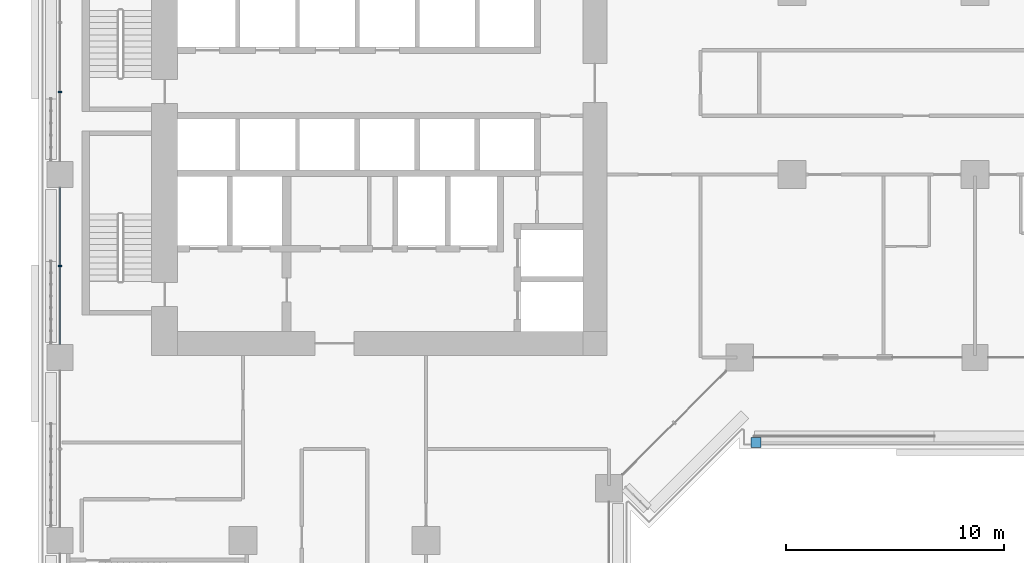
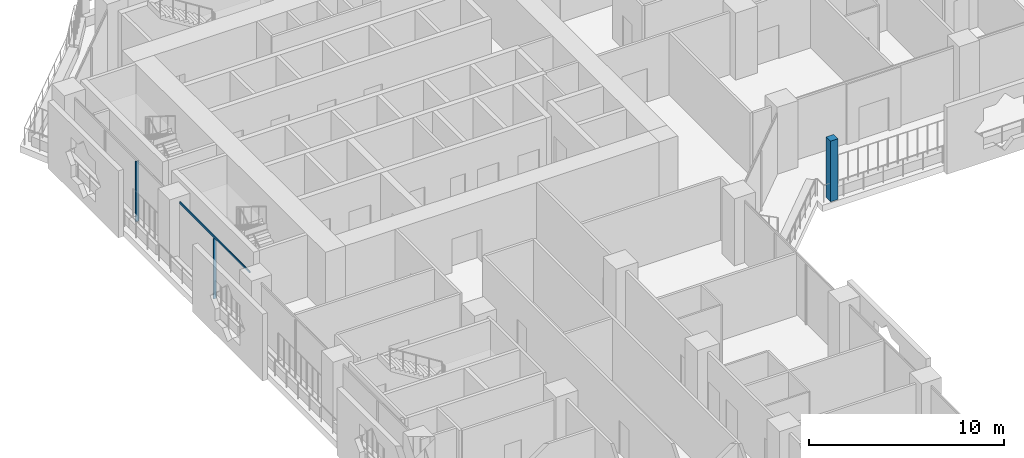
# One storey, part 5 of 28: 4 members, 2 elements without a shape of their own.
"""IFC4 building model written with IfcOpenShell, lengths in metres."""

from ifc_helpers import new_model, si_unit, direction, frame, origin, origin_2d, place, context, subcontext, project, spatial, rectangle, extrude, material, layer, layer_set, material_profile, profile_set, type_object, element, aggregate, save


model = new_model("IFC4")

# Units and contexts
model_context = context("Model", 3, precision=1e-05, world=origin(), true_north=direction((0.0, 1.0)))
body_context = subcontext(model_context, "Body", "Model", "MODEL_VIEW")
ifc_project = project(units=[si_unit("LENGTHUNIT", "METRE"), si_unit("AREAUNIT", "SQUARE_METRE"), si_unit("VOLUMEUNIT", "CUBIC_METRE"), si_unit("PLANEANGLEUNIT", "RADIAN"), si_unit("MASSUNIT", "GRAM", prefix="KILO")], contexts=[model_context])

# Site, building, storey
site_placement = place(None, origin())
site = spatial("IfcSite", under=ifc_project, at=site_placement, CompositionType="ELEMENT")
building_placement = place(site_placement, origin())
building = spatial("IfcBuilding", under=site, at=building_placement, Name="Kawkab Arch Medical Tower", CompositionType="ELEMENT")
storey_placement = place(building_placement, frame((0.0, 0.0, 72.800048828125)))
storey = spatial("IfcBuildingStorey", under=building, at=storey_placement, Name="L16", CompositionType="ELEMENT", Elevation=72.800048828125)

# Curtain wall, members
ifc_material_1 = material(Name="Bronze anodised aluminium curtain wall frame", Category="aluminium")
ifc_layer_1 = layer(ifc_material_1, 0.159912109375)
ifc_layer_set_1 = layer_set([ifc_layer_1], Name="Bronze anodised aluminium curtain wall frame")
curtain_wall_type_1 = type_object("IfcCurtainWallType", Name="CW1 ward curtain wall", PredefinedType="NOTDEFINED", material=ifc_layer_set_1)
placement = place(storey_placement, origin())
curtain_wall_1 = element("IfcCurtainWall", 1, at=placement, inside=storey, type_object=curtain_wall_type_1, Name="CW1 Ward curtain wall R01", PredefinedType="NOTDEFINED")
ifc_material_2 = material(Name="Bronze anodised aluminium curtain wall frame", Category="aluminium")
ifc_material_profile_1 = material_profile(ifc_material_2, rectangle(XDim=0.179931640625, YDim=0.06005859375, at=origin_2d()), Name="AL 60x180")
ifc_profile_set_1 = profile_set([ifc_material_profile_1], Name="Bronze anodised aluminium curtain wall frame")
member_type_1 = type_object("IfcMemberType", Name="CW1 mullion 60 x 180", PredefinedType="MULLION", material=ifc_profile_set_1)
member_1_placement = place(storey_placement, frame((0.0, -13.00830078125, 0.0), z_axis=(0.0, 0.0, 1.0), x_axis=(1.0, 0.0, 0.0)))
member_1 = element("IfcMember", 2, at=member_1_placement, type_object=member_type_1, Name="CW1 mullion 1.2", PredefinedType="MULLION", context=body_context, shape_type="SweptSolid", body=[
    extrude(rectangle(XDim=0.179931640625, YDim=0.06005859375, at=origin_2d()), origin(), (0.0, 0.0, 1.0), 3.780029296875),
])
member_2_placement = place(storey_placement, frame((0.0, -21.0, 0.0), z_axis=(0.0, 0.0, 1.0), x_axis=(1.0, 0.0, 0.0)))
member_2 = element("IfcMember", 3, at=member_2_placement, type_object=member_type_1, Name="CW1 mullion 2.1", PredefinedType="MULLION", context=body_context, shape_type="SweptSolid", body=[
    extrude(rectangle(XDim=0.179931640625, YDim=0.06005859375, at=origin_2d()), origin(), (0.0, 0.0, 1.0), 3.780029296875),
])
ifc_material_3 = material(Name="Bronze anodised aluminium curtain wall frame", Category="aluminium")
ifc_material_profile_2 = material_profile(ifc_material_3, rectangle(XDim=0.06005859375, YDim=0.1201171875, at=origin_2d()), Name="AL 60x120")
ifc_profile_set_2 = profile_set([ifc_material_profile_2], Name="Bronze anodised aluminium curtain wall frame")
member_type_2 = type_object("IfcMemberType", Name="CW1 transom 120 x 60", PredefinedType="USERDEFINED", material=ifc_profile_set_2)
member_3_placement = place(storey_placement, frame((0.0, -17.39990234375, 3.83984375), z_axis=(0.0, -1.0, 0.0), x_axis=(1.0, 0.0, 0.0)))
member_3 = element("IfcMember", 4, at=member_3_placement, type_object=member_type_2, Name="CW1 transom 2", ObjectType="TRANSOM", PredefinedType="USERDEFINED", context=body_context, shape_type="SweptSolid", body=[
    extrude(rectangle(XDim=0.06005859375, YDim=0.1201171875, at=origin_2d()), origin(), (0.0, 0.0, 1.0), 7.2001953125),
])
aggregate(curtain_wall_1, [member_1, member_3, member_2])

# Curtain wall, member
ifc_material_4 = material(Name="Bronze anodised aluminium climber frame, planted", Category="aluminium")
ifc_layer_2 = layer(ifc_material_4, 0.449951171875)
ifc_layer_set_2 = layer_set([ifc_layer_2], Name="Bronze anodised aluminium climber frame, planted")
curtain_wall_type_2 = type_object("IfcCurtainWallType", Name="Planted climber frame", PredefinedType="NOTDEFINED", material=ifc_layer_set_2)
curtain_wall_2 = element("IfcCurtainWall", 5, at=placement, inside=storey, type_object=curtain_wall_type_2, Name="Planted climber frame L16", PredefinedType="NOTDEFINED")
ifc_material_5 = material(Name="Bronze anodised aluminium climber frame, planted", Category="aluminium")
ifc_material_profile_3 = material_profile(ifc_material_5, rectangle(XDim=0.449951171875, YDim=0.449951171875, at=origin_2d()), Name="Post 450x450")
ifc_profile_set_3 = profile_set([ifc_material_profile_3], Name="Bronze anodised aluminium climber frame, planted")
member_type_3 = type_object("IfcMemberType", Name="Planted climber post 450 x 450", PredefinedType="MULLION", material=ifc_profile_set_3)
member_4_placement = place(storey_placement, frame((31.949951171875, -29.10009765625, 0.0), z_axis=(0.0, 0.0, 1.0), x_axis=(1.0, 0.0, 0.0)))
member_4 = element("IfcMember", 6, at=member_4_placement, type_object=member_type_3, Name="Planted climber post L16.LOG-01-01.6", PredefinedType="MULLION", context=body_context, shape_type="SweptSolid", body=[
    extrude(rectangle(XDim=0.449951171875, YDim=0.449951171875, at=origin_2d()), origin(), (0.0, 0.0, 1.0), 3.800048828125),
])
aggregate(curtain_wall_2, [member_4])

save(model, "model.ifc")
